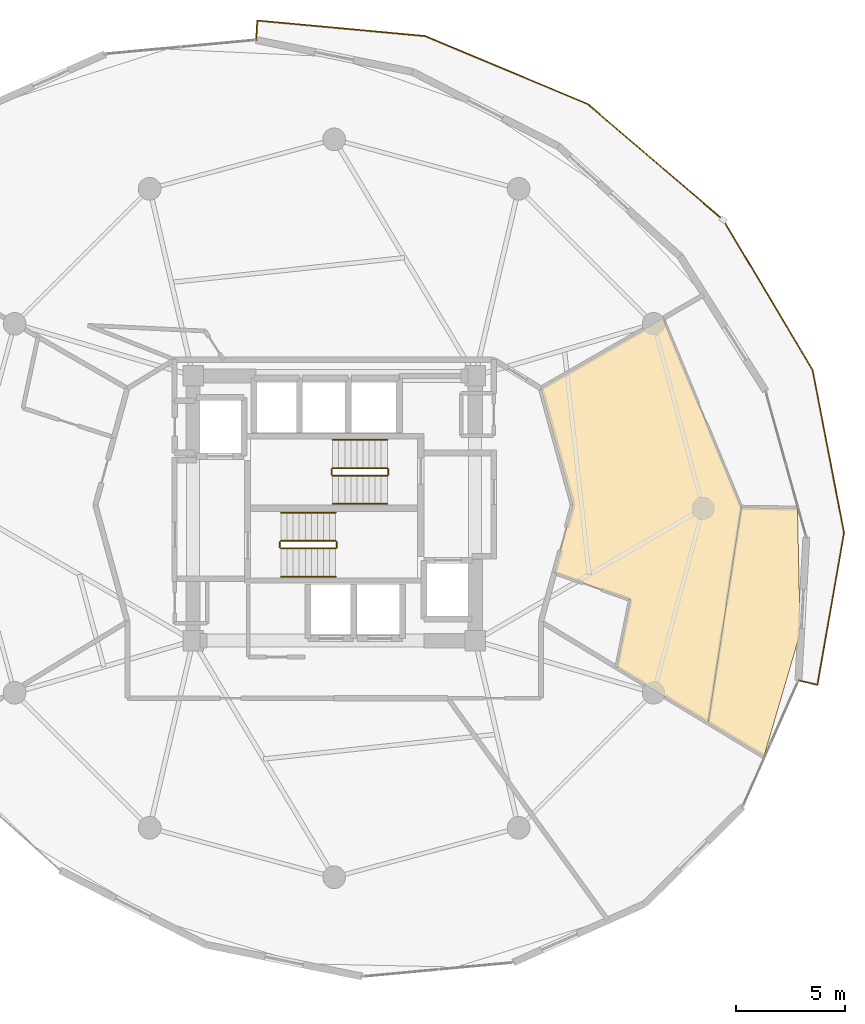
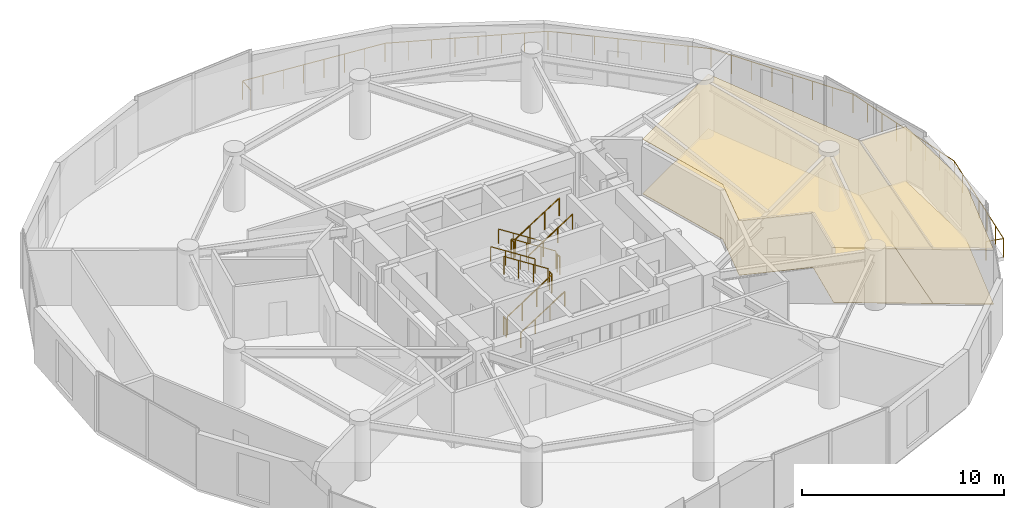
# One storey, part 24 of 25: 13 railings, 4 coverings.
"""IFC4 building model written with IfcOpenShell, lengths in metres."""

from ifc_helpers import new_model, si_unit, direction, frame, origin, origin_2d, place, context, subcontext, project, spatial, polyline, circle, outline, extrude, material, layer, layer_set, type_object, element, save


model = new_model("IFC4")

# Units and contexts
model_context = context("Model", 3, precision=1e-05, world=origin(), true_north=direction((0.0, 1.0)))
body_context = subcontext(model_context, "Body", "Model", "MODEL_VIEW")
ifc_project = project(units=[si_unit("LENGTHUNIT", "METRE"), si_unit("AREAUNIT", "SQUARE_METRE"), si_unit("VOLUMEUNIT", "CUBIC_METRE"), si_unit("PLANEANGLEUNIT", "RADIAN"), si_unit("MASSUNIT", "GRAM", prefix="KILO")], contexts=[model_context])

# Site, building, storey
site_placement = place(None, origin())
site = spatial("IfcSite", under=ifc_project, at=site_placement, CompositionType="ELEMENT")
building_placement = place(site_placement, origin())
building = spatial("IfcBuilding", under=site, at=building_placement, Name="Solvirekh Grand Hotel", CompositionType="ELEMENT")
storey_placement = place(building_placement, frame((0.0, 0.0, 117.0)))
storey = spatial("IfcBuildingStorey", under=building, at=storey_placement, Name="L29", CompositionType="ELEMENT", Elevation=117.0)

# Coverings
ifc_material_1 = material(Name="Acoustic Mineral Ceiling Tile")
ifc_layer_1 = layer(ifc_material_1, 0.02490234375)
ifc_layer_set_1 = layer_set([ifc_layer_1], Name="Acoustic Mineral Ceiling Tile")
covering_type_1 = type_object("IfcCoveringType", Name="Cov_Ceiling_Acoustic", PredefinedType="CEILING", material=ifc_layer_set_1)
covering_1_placement = place(storey_placement, frame((0.0, 0.0, 3.300048828125)))
element("IfcCovering", 1, at=covering_1_placement, inside=storey, type_object=covering_type_1, Name="L29 Executive Suite 3103 Living Room acoustic ceiling", PredefinedType="CEILING", context=body_context, shape_type="SweptSolid", body=[
    extrude(outline(polyline([(13.64892578125, -4.212890625), (13.02001953125, -7.3359375), (17.23388671875, -9.881103515625), (18.761962890625, 0.0380859375), (15.152099609375, 8.7548828125), (9.52587890625, 5.52490234375), (11.0, 0.14990234375), (10.14501953125, -2.967041015625), (13.64892578125, -4.212890625)])), origin(), (0.0, 0.0, 1.0), 0.01806640625),
])
covering_2_placement = place(storey_placement, frame((0.0, 0.0, 3.300048828125)))
element("IfcCovering", 2, at=covering_2_placement, inside=storey, type_object=covering_type_1, Name="L29 Executive Suite 3103 Master Bedroom acoustic ceiling", PredefinedType="CEILING", context=body_context, shape_type="SweptSolid", body=[
    extrude(outline(polyline([(19.802978515625, -11.43310546875), (21.47412109375, -5.75390625), (21.34912109375, 0.0), (18.761962890625, 0.0380859375), (17.23388671875, -9.881103515625), (19.802978515625, -11.43310546875)])), origin(), (0.0, 0.0, 1.0), 0.01806640625),
])
ifc_material_2 = material(Name="Porcelain Stoneware Flooring", Category="masonry")
ifc_layer_2 = layer(ifc_material_2, 0.030029296875)
ifc_layer_set_2 = layer_set([ifc_layer_2], Name="Porcelain Stoneware Flooring")
covering_type_2 = type_object("IfcCoveringType", Name="Cov_Floor_Stone", PredefinedType="FLOORING", material=ifc_layer_set_2)
covering_3_placement = place(storey_placement, origin())
element("IfcCovering", 3, at=covering_3_placement, inside=storey, type_object=covering_type_2, Name="L29 Executive Suite 3103 Living Room polished granite flooring", PredefinedType="FLOORING", context=body_context, shape_type="SweptSolid", body=[
    extrude(outline(polyline([(13.64892578125, -4.212890625), (13.02001953125, -7.3359375), (17.23388671875, -9.881103515625), (18.761962890625, 0.0380859375), (15.152099609375, 8.7548828125), (9.52587890625, 5.52490234375), (11.0, 0.14990234375), (10.14501953125, -2.967041015625), (13.64892578125, -4.212890625)])), origin(), (0.0, 0.0, 1.0), 0.02001953125),
])
covering_4_placement = place(storey_placement, origin())
element("IfcCovering", 4, at=covering_4_placement, inside=storey, type_object=covering_type_2, Name="L29 Executive Suite 3103 Master Bedroom polished granite flooring", PredefinedType="FLOORING", context=body_context, shape_type="SweptSolid", body=[
    extrude(outline(polyline([(19.802978515625, -11.43310546875), (21.47412109375, -5.75390625), (21.34912109375, 0.0), (18.761962890625, 0.0380859375), (17.23388671875, -9.881103515625), (19.802978515625, -11.43310546875)])), origin(), (0.0, 0.0, 1.0), 0.02001953125),
])

# Railings
ifc_material_3 = material(Name="Anodized Bronze Aluminium 6063-T6", Category="aluminium")
railing_type_1 = type_object("IfcRailingType", Name="Guard_ExtGlass_1150", PredefinedType="BALUSTRADE", material=ifc_material_3)
railing_1_placement = place(storey_placement, frame((21.39306640625, -7.929931640625, 0.0)))
element("IfcRailing", 5, at=railing_1_placement, inside=storey, type_object=railing_type_1, Name="L29 balc perimeter glass balustrade", PredefinedType="BALUSTRADE", context=body_context, shape_type="SweptSolid", body=[
    extrude(circle(Radius=0.02392578125, at=origin_2d()), frame((0.0, 0.0, 1.1259765625), z_axis=(0.973189028436, -0.230006771492, 0.0), x_axis=(0.230006771492, 0.973189028436, 0.0)), (0.0, 0.0, 1.0), 0.900146484375),
    extrude(circle(Radius=0.02392578125, at=origin_2d()), frame((0.8759765625, -0.20703125, 1.1259765625), z_axis=(0.17262424273, 0.98498775161, 0.0), x_axis=(-0.98498775161, 0.17262424273, 0.0)), (0.0, 0.0, 1.0), 7.11376953125),
    extrude(circle(Radius=0.02392578125, at=origin_2d()), frame((2.10400390625, 6.800048828125, 1.1259765625), z_axis=(-0.189775705137, 0.981827470455, 0.0), x_axis=(-0.981827470455, -0.189775705137, 0.0)), (0.0, 0.0, 1.0), 7.646728515625),
    extrude(circle(Radius=0.02392578125, at=origin_2d()), frame((0.65283203125, 14.307861328125, 1.1259765625), z_axis=(-0.511632173602, 0.859204585029, 0.0), x_axis=(-0.859204585029, -0.511632173602, 0.0)), (0.0, 0.0, 1.0), 8.044677734375),
    extrude(circle(Radius=0.02392578125, at=origin_2d()), frame((-3.463134765625, 21.219970703125, 1.1259765625), z_axis=(-0.760132467347, 0.649768137172, 0.0), x_axis=(-0.649768137172, -0.760132467347, 0.0)), (0.0, 0.0, 1.0), 8.218017578125),
    extrude(circle(Radius=0.02392578125, at=origin_2d()), frame((-9.7099609375, 26.559814453125, 1.1259765625), z_axis=(-0.922749512091, 0.385400230845, 0.0), x_axis=(-0.385400230845, -0.922749512091, 0.0)), (0.0, 0.0, 1.0), 8.126708984375),
    extrude(circle(Radius=0.02392578125, at=origin_2d()), frame((-17.208984375, 29.69189453125, 1.1259765625), z_axis=(-0.995756705307, 0.092024908784, 0.0), x_axis=(-0.092024908784, -0.995756705307, 0.0)), (0.0, 0.0, 1.0), 7.760009765625),
    extrude(circle(Radius=0.02392578125, at=origin_2d()), frame((-24.93603515625, 30.406005859375, 1.1259765625), z_axis=(-0.057736812835, -0.998331838841, 0.0), x_axis=(0.998331838841, -0.057736812835, 0.0)), (0.0, 0.0, 1.0), 0.900634765625),
    extrude(circle(Radius=0.02099609375, at=origin_2d()), origin(), (0.0, 0.0, 1.0), 1.101806640625),
    extrude(circle(Radius=0.02099609375, at=origin_2d()), frame((0.8759765625, -0.20703125, 0.0)), (0.0, 0.0, 1.0), 1.101806640625),
    extrude(circle(Radius=0.02099609375, at=origin_2d()), frame((1.08056640625, 0.9609375, 0.0)), (0.0, 0.0, 1.0), 1.101806640625),
    extrude(circle(Radius=0.02099609375, at=origin_2d()), frame((1.285400390625, 2.128662109375, 0.0)), (0.0, 0.0, 1.0), 1.101806640625),
    extrude(circle(Radius=0.02099609375, at=origin_2d()), frame((1.489990234375, 3.29638671875, 0.0)), (0.0, 0.0, 1.0), 1.101806640625),
    extrude(circle(Radius=0.02099609375, at=origin_2d()), frame((1.694580078125, 4.46435546875, 0.0)), (0.0, 0.0, 1.0), 1.101806640625),
    extrude(circle(Radius=0.02099609375, at=origin_2d()), frame((1.8994140625, 5.63232421875, 0.0)), (0.0, 0.0, 1.0), 1.101806640625),
    extrude(circle(Radius=0.02099609375, at=origin_2d()), frame((2.10400390625, 6.800048828125, 0.0)), (0.0, 0.0, 1.0), 1.101806640625),
    extrude(circle(Radius=0.02099609375, at=origin_2d()), frame((1.896728515625, 7.87255859375, 0.0)), (0.0, 0.0, 1.0), 1.101806640625),
    extrude(circle(Radius=0.02099609375, at=origin_2d()), frame((1.689453125, 8.945068359375, 0.0)), (0.0, 0.0, 1.0), 1.101806640625),
    extrude(circle(Radius=0.02099609375, at=origin_2d()), frame((1.482177734375, 10.017578125, 0.0)), (0.0, 0.0, 1.0), 1.101806640625),
    extrude(circle(Radius=0.02099609375, at=origin_2d()), frame((1.274658203125, 11.09033203125, 0.0)), (0.0, 0.0, 1.0), 1.101806640625),
    extrude(circle(Radius=0.02099609375, at=origin_2d()), frame((1.0673828125, 12.162841796875, 0.0)), (0.0, 0.0, 1.0), 1.101806640625),
    extrude(circle(Radius=0.02099609375, at=origin_2d()), frame((0.860107421875, 13.2353515625, 0.0)), (0.0, 0.0, 1.0), 1.101806640625),
    extrude(circle(Radius=0.02099609375, at=origin_2d()), frame((0.65283203125, 14.307861328125, 0.0)), (0.0, 0.0, 1.0), 1.101806640625),
    extrude(circle(Radius=0.02099609375, at=origin_2d()), frame((0.06494140625, 15.29541015625, 0.0)), (0.0, 0.0, 1.0), 1.101806640625),
    extrude(circle(Radius=0.02099609375, at=origin_2d()), frame((-0.523193359375, 16.28271484375, 0.0)), (0.0, 0.0, 1.0), 1.101806640625),
    extrude(circle(Radius=0.02099609375, at=origin_2d()), frame((-1.111083984375, 17.270263671875, 0.0)), (0.0, 0.0, 1.0), 1.101806640625),
    extrude(circle(Radius=0.02099609375, at=origin_2d()), frame((-1.69921875, 18.257568359375, 0.0)), (0.0, 0.0, 1.0), 1.101806640625),
    extrude(circle(Radius=0.02099609375, at=origin_2d()), frame((-2.287109375, 19.2451171875, 0.0)), (0.0, 0.0, 1.0), 1.101806640625),
    extrude(circle(Radius=0.02099609375, at=origin_2d()), frame((-2.875244140625, 20.232421875, 0.0)), (0.0, 0.0, 1.0), 1.101806640625),
    extrude(circle(Radius=0.02099609375, at=origin_2d()), frame((-3.463134765625, 21.219970703125, 0.0)), (0.0, 0.0, 1.0), 1.101806640625),
    extrude(circle(Radius=0.02099609375, at=origin_2d()), frame((-4.35546875, 21.98291015625, 0.0)), (0.0, 0.0, 1.0), 1.101806640625),
    extrude(circle(Radius=0.02099609375, at=origin_2d()), frame((-5.248046875, 22.74560546875, 0.0)), (0.0, 0.0, 1.0), 1.101806640625),
    extrude(circle(Radius=0.02099609375, at=origin_2d()), frame((-6.140380859375, 23.508544921875, 0.0)), (0.0, 0.0, 1.0), 1.101806640625),
    extrude(circle(Radius=0.02099609375, at=origin_2d()), frame((-7.03271484375, 24.271240234375, 0.0)), (0.0, 0.0, 1.0), 1.101806640625),
    extrude(circle(Radius=0.02099609375, at=origin_2d()), frame((-7.925048828125, 25.0341796875, 0.0)), (0.0, 0.0, 1.0), 1.101806640625),
    extrude(circle(Radius=0.02099609375, at=origin_2d()), frame((-8.817626953125, 25.796875, 0.0)), (0.0, 0.0, 1.0), 1.101806640625),
    extrude(circle(Radius=0.02099609375, at=origin_2d()), frame((-9.7099609375, 26.559814453125, 0.0)), (0.0, 0.0, 1.0), 1.101806640625),
    extrude(circle(Radius=0.02099609375, at=origin_2d()), frame((-10.78125, 27.00732421875, 0.0)), (0.0, 0.0, 1.0), 1.101806640625),
    extrude(circle(Radius=0.02099609375, at=origin_2d()), frame((-11.8525390625, 27.45458984375, 0.0)), (0.0, 0.0, 1.0), 1.101806640625),
    extrude(circle(Radius=0.02099609375, at=origin_2d()), frame((-12.923828125, 27.902099609375, 0.0)), (0.0, 0.0, 1.0), 1.101806640625),
    extrude(circle(Radius=0.02099609375, at=origin_2d()), frame((-13.9951171875, 28.349609375, 0.0)), (0.0, 0.0, 1.0), 1.101806640625),
    extrude(circle(Radius=0.02099609375, at=origin_2d()), frame((-15.06640625, 28.797119140625, 0.0)), (0.0, 0.0, 1.0), 1.101806640625),
    extrude(circle(Radius=0.02099609375, at=origin_2d()), frame((-16.1376953125, 29.244384765625, 0.0)), (0.0, 0.0, 1.0), 1.101806640625),
    extrude(circle(Radius=0.02099609375, at=origin_2d()), frame((-17.208984375, 29.69189453125, 0.0)), (0.0, 0.0, 1.0), 1.101806640625),
    extrude(circle(Radius=0.02099609375, at=origin_2d()), frame((-18.312744140625, 29.7939453125, 0.0)), (0.0, 0.0, 1.0), 1.101806640625),
    extrude(circle(Radius=0.02099609375, at=origin_2d()), frame((-19.416748046875, 29.89599609375, 0.0)), (0.0, 0.0, 1.0), 1.101806640625),
    extrude(circle(Radius=0.02099609375, at=origin_2d()), frame((-20.5205078125, 29.998046875, 0.0)), (0.0, 0.0, 1.0), 1.101806640625),
    extrude(circle(Radius=0.02099609375, at=origin_2d()), frame((-21.62451171875, 30.099853515625, 0.0)), (0.0, 0.0, 1.0), 1.101806640625),
    extrude(circle(Radius=0.02099609375, at=origin_2d()), frame((-22.728271484375, 30.201904296875, 0.0)), (0.0, 0.0, 1.0), 1.101806640625),
    extrude(circle(Radius=0.02099609375, at=origin_2d()), frame((-23.832275390625, 30.303955078125, 0.0)), (0.0, 0.0, 1.0), 1.101806640625),
    extrude(circle(Radius=0.02099609375, at=origin_2d()), frame((-24.93603515625, 30.406005859375, 0.0)), (0.0, 0.0, 1.0), 1.101806640625),
    extrude(circle(Radius=0.02099609375, at=origin_2d()), frame((-24.988037109375, 29.5068359375, 0.0)), (0.0, 0.0, 1.0), 1.101806640625),
])
ifc_material_4 = material(Name="Steel S355", Category="steel")
railing_type_2 = type_object("IfcRailingType", Name="Guard_Stair_1100", PredefinedType="GUARDRAIL", material=ifc_material_4)
railing_2_placement = place(storey_placement, frame((-2.449951171875, -1.85009765625, 0.179931640625)))
element("IfcRailing", 6, at=railing_2_placement, inside=storey, type_object=railing_type_2, Name="L29 ST-1 stair guard 1", PredefinedType="GUARDRAIL", context=body_context, shape_type="SweptSolid", body=[
    extrude(circle(Radius=0.02392578125, at=origin_2d()), frame((0.0, 0.0, 1.076171875), z_axis=(0.841162588446, 0.0, 0.540782303519), x_axis=(0.0, 1.0, 0.0)), (0.0, 0.0, 1.0), 2.995849609375),
    extrude(circle(Radius=0.02099609375, at=origin_2d()), origin(), (0.0, 0.0, 1.0), 1.052001953125),
    extrude(circle(Radius=0.02099609375, at=origin_2d()), frame((0.840087890625, 0.0, 0.5400390625)), (0.0, 0.0, 1.0), 1.052001953125),
    extrude(circle(Radius=0.02099609375, at=origin_2d()), frame((1.679931640625, 0.0, 1.080078125)), (0.0, 0.0, 1.0), 1.052001953125),
    extrude(circle(Radius=0.02099609375, at=origin_2d()), frame((2.52001953125, 0.0, 1.6201171875)), (0.0, 0.0, 1.0), 1.052001953125),
])
railing_3_placement = place(storey_placement, frame((0.1201171875, -1.800048828125, 1.800048828125)))
element("IfcRailing", 7, at=railing_3_placement, inside=storey, type_object=railing_type_2, Name="L29 ST-1 stair guard 2", PredefinedType="GUARDRAIL", context=body_context, shape_type="SweptSolid", body=[
    extrude(circle(Radius=0.02392578125, at=origin_2d()), frame((0.0, 0.0, 1.076171875), z_axis=(0.0, 1.0, 0.0), x_axis=(-1.0, 0.0, 0.0)), (0.0, 0.0, 1.0), 0.25),
    extrude(circle(Radius=0.02099609375, at=origin_2d()), origin(), (0.0, 0.0, 1.0), 1.052001953125),
    extrude(circle(Radius=0.02099609375, at=origin_2d()), frame((0.0, 0.25, 0.0)), (0.0, 0.0, 1.0), 1.052001953125),
])
railing_4_placement = place(storey_placement, frame((0.070068359375, -1.5, 1.97998046875)))
element("IfcRailing", 8, at=railing_4_placement, inside=storey, type_object=railing_type_2, Name="L29 ST-1 stair guard 3", PredefinedType="GUARDRAIL", context=body_context, shape_type="SweptSolid", body=[
    extrude(circle(Radius=0.02392578125, at=origin_2d()), frame((0.0, 0.0, 1.076171875), z_axis=(-0.841162588446, 0.0, 0.540782303519), x_axis=(0.0, -1.0, 0.0)), (0.0, 0.0, 1.0), 2.995849609375),
    extrude(circle(Radius=0.02099609375, at=origin_2d()), origin(), (0.0, 0.0, 1.0), 1.052001953125),
    extrude(circle(Radius=0.02099609375, at=origin_2d()), frame((-0.840087890625, 0.0, 0.5400390625)), (0.0, 0.0, 1.0), 1.052001953125),
    extrude(circle(Radius=0.02099609375, at=origin_2d()), frame((-1.679931640625, 0.0, 1.080078125)), (0.0, 0.0, 1.0), 1.052001953125),
    extrude(circle(Radius=0.02099609375, at=origin_2d()), frame((-2.52001953125, 0.0, 1.6201171875)), (0.0, 0.0, 1.0), 1.052001953125),
])
railing_5_placement = place(storey_placement, frame((-2.5, -1.800048828125, 0.0)))
element("IfcRailing", 9, at=railing_5_placement, inside=storey, type_object=railing_type_2, Name="L29 ST-1 stair guard 4", PredefinedType="GUARDRAIL", context=body_context, shape_type="SweptSolid", body=[
    extrude(circle(Radius=0.02392578125, at=origin_2d()), frame((0.0, 0.0, 1.076171875), z_axis=(0.0, 1.0, 0.0), x_axis=(-1.0, 0.0, 0.0)), (0.0, 0.0, 1.0), 0.25),
    extrude(circle(Radius=0.02099609375, at=origin_2d()), origin(), (0.0, 0.0, 1.0), 1.052001953125),
    extrude(circle(Radius=0.02099609375, at=origin_2d()), frame((0.0, 0.25, 0.0)), (0.0, 0.0, 1.0), 1.052001953125),
])
railing_6_placement = place(storey_placement, frame((2.449951171875, 1.85009765625, 0.179931640625)))
element("IfcRailing", 10, at=railing_6_placement, inside=storey, type_object=railing_type_2, Name="L29 ST-2 stair guard 1", PredefinedType="GUARDRAIL", context=body_context, shape_type="SweptSolid", body=[
    extrude(circle(Radius=0.02392578125, at=origin_2d()), frame((0.0, 0.0, 1.076171875), z_axis=(-0.841162588446, 0.0, 0.540782303519), x_axis=(0.0, -1.0, 0.0)), (0.0, 0.0, 1.0), 2.995849609375),
    extrude(circle(Radius=0.02099609375, at=origin_2d()), origin(), (0.0, 0.0, 1.0), 1.052001953125),
    extrude(circle(Radius=0.02099609375, at=origin_2d()), frame((-0.840087890625, 0.0, 0.5400390625)), (0.0, 0.0, 1.0), 1.052001953125),
    extrude(circle(Radius=0.02099609375, at=origin_2d()), frame((-1.679931640625, 0.0, 1.080078125)), (0.0, 0.0, 1.0), 1.052001953125),
    extrude(circle(Radius=0.02099609375, at=origin_2d()), frame((-2.52001953125, 0.0, 1.6201171875)), (0.0, 0.0, 1.0), 1.052001953125),
])
railing_7_placement = place(storey_placement, frame((-0.1201171875, 1.800048828125, 1.800048828125)))
element("IfcRailing", 11, at=railing_7_placement, inside=storey, type_object=railing_type_2, Name="L29 ST-2 stair guard 2", PredefinedType="GUARDRAIL", context=body_context, shape_type="SweptSolid", body=[
    extrude(circle(Radius=0.02392578125, at=origin_2d()), frame((0.0, 0.0, 1.076171875), z_axis=(0.0, -1.0, 0.0), x_axis=(1.0, 0.0, 0.0)), (0.0, 0.0, 1.0), 0.25),
    extrude(circle(Radius=0.02099609375, at=origin_2d()), origin(), (0.0, 0.0, 1.0), 1.052001953125),
    extrude(circle(Radius=0.02099609375, at=origin_2d()), frame((0.0, -0.25, 0.0)), (0.0, 0.0, 1.0), 1.052001953125),
])
railing_8_placement = place(storey_placement, frame((-0.070068359375, 1.5, 1.97998046875)))
element("IfcRailing", 12, at=railing_8_placement, inside=storey, type_object=railing_type_2, Name="L29 ST-2 stair guard 3", PredefinedType="GUARDRAIL", context=body_context, shape_type="SweptSolid", body=[
    extrude(circle(Radius=0.02392578125, at=origin_2d()), frame((0.0, 0.0, 1.076171875), z_axis=(0.841162588446, 0.0, 0.540782303519), x_axis=(0.0, 1.0, 0.0)), (0.0, 0.0, 1.0), 2.995849609375),
    extrude(circle(Radius=0.02099609375, at=origin_2d()), origin(), (0.0, 0.0, 1.0), 1.052001953125),
    extrude(circle(Radius=0.02099609375, at=origin_2d()), frame((0.840087890625, 0.0, 0.5400390625)), (0.0, 0.0, 1.0), 1.052001953125),
    extrude(circle(Radius=0.02099609375, at=origin_2d()), frame((1.679931640625, 0.0, 1.080078125)), (0.0, 0.0, 1.0), 1.052001953125),
    extrude(circle(Radius=0.02099609375, at=origin_2d()), frame((2.52001953125, 0.0, 1.6201171875)), (0.0, 0.0, 1.0), 1.052001953125),
])
railing_9_placement = place(storey_placement, frame((2.5, 1.800048828125, 0.0)))
element("IfcRailing", 13, at=railing_9_placement, inside=storey, type_object=railing_type_2, Name="L29 ST-2 stair guard 4", PredefinedType="GUARDRAIL", context=body_context, shape_type="SweptSolid", body=[
    extrude(circle(Radius=0.02392578125, at=origin_2d()), frame((0.0, 0.0, 1.076171875), z_axis=(0.0, -1.0, 0.0), x_axis=(1.0, 0.0, 0.0)), (0.0, 0.0, 1.0), 0.25),
    extrude(circle(Radius=0.02099609375, at=origin_2d()), origin(), (0.0, 0.0, 1.0), 1.052001953125),
    extrude(circle(Radius=0.02099609375, at=origin_2d()), frame((0.0, -0.25, 0.0)), (0.0, 0.0, 1.0), 1.052001953125),
])
railing_type_3 = type_object("IfcRailingType", Name="Handrail_Wall_900", PredefinedType="HANDRAIL", material=ifc_material_3)
railing_10_placement = place(storey_placement, frame((-2.449951171875, -3.14990234375, 0.179931640625)))
element("IfcRailing", 14, at=railing_10_placement, inside=storey, type_object=railing_type_3, Name="L29 ST-1 stair handrail 1", PredefinedType="HANDRAIL", context=body_context, shape_type="SweptSolid", body=[
    extrude(circle(Radius=0.02392578125, at=origin_2d()), frame((0.0, 0.0, 0.8759765625), z_axis=(0.841162588446, 0.0, 0.540782303519), x_axis=(0.0, 1.0, 0.0)), (0.0, 0.0, 1.0), 2.995849609375),
    extrude(circle(Radius=0.02099609375, at=origin_2d()), origin(), (0.0, 0.0, 1.0), 0.851806640625),
    extrude(circle(Radius=0.02099609375, at=origin_2d()), frame((0.840087890625, 0.0, 0.5400390625)), (0.0, 0.0, 1.0), 0.851806640625),
    extrude(circle(Radius=0.02099609375, at=origin_2d()), frame((1.679931640625, 0.0, 1.080078125)), (0.0, 0.0, 1.0), 0.851806640625),
    extrude(circle(Radius=0.02099609375, at=origin_2d()), frame((2.52001953125, 0.0, 1.6201171875)), (0.0, 0.0, 1.0), 0.851806640625),
])
for number, where, name in (
    (15, (0.070068359375, -0.199951171875, 1.97998046875), "L29 ST-1 stair handrail 2"),
    (16, (2.449951171875, 3.14990234375, 0.179931640625), "L29 ST-2 stair handrail 1"),
):
    element("IfcRailing", number, at=place(storey_placement, frame(where)), inside=storey, type_object=railing_type_3, Name=name, PredefinedType="HANDRAIL", context=body_context, shape_type="SweptSolid", body=[
        extrude(circle(Radius=0.02392578125, at=origin_2d()), frame((0.0, 0.0, 0.8759765625), z_axis=(-0.841162588446, 0.0, 0.540782303519), x_axis=(0.0, -1.0, 0.0)), (0.0, 0.0, 1.0), 2.995849609375),
        extrude(circle(Radius=0.02099609375, at=origin_2d()), origin(), (0.0, 0.0, 1.0), 0.851806640625),
        extrude(circle(Radius=0.02099609375, at=origin_2d()), frame((-0.840087890625, 0.0, 0.5400390625)), (0.0, 0.0, 1.0), 0.851806640625),
        extrude(circle(Radius=0.02099609375, at=origin_2d()), frame((-1.679931640625, 0.0, 1.080078125)), (0.0, 0.0, 1.0), 0.851806640625),
        extrude(circle(Radius=0.02099609375, at=origin_2d()), frame((-2.52001953125, 0.0, 1.6201171875)), (0.0, 0.0, 1.0), 0.851806640625),
    ])
railing_11_placement = place(storey_placement, frame((-0.070068359375, 0.199951171875, 1.97998046875)))
element("IfcRailing", 17, at=railing_11_placement, inside=storey, type_object=railing_type_3, Name="L29 ST-2 stair handrail 2", PredefinedType="HANDRAIL", context=body_context, shape_type="SweptSolid", body=[
    extrude(circle(Radius=0.02392578125, at=origin_2d()), frame((0.0, 0.0, 0.8759765625), z_axis=(0.841162588446, 0.0, 0.540782303519), x_axis=(0.0, 1.0, 0.0)), (0.0, 0.0, 1.0), 2.995849609375),
    extrude(circle(Radius=0.02099609375, at=origin_2d()), origin(), (0.0, 0.0, 1.0), 0.851806640625),
    extrude(circle(Radius=0.02099609375, at=origin_2d()), frame((0.840087890625, 0.0, 0.5400390625)), (0.0, 0.0, 1.0), 0.851806640625),
    extrude(circle(Radius=0.02099609375, at=origin_2d()), frame((1.679931640625, 0.0, 1.080078125)), (0.0, 0.0, 1.0), 0.851806640625),
    extrude(circle(Radius=0.02099609375, at=origin_2d()), frame((2.52001953125, 0.0, 1.6201171875)), (0.0, 0.0, 1.0), 0.851806640625),
])

save(model, "model.ifc")
